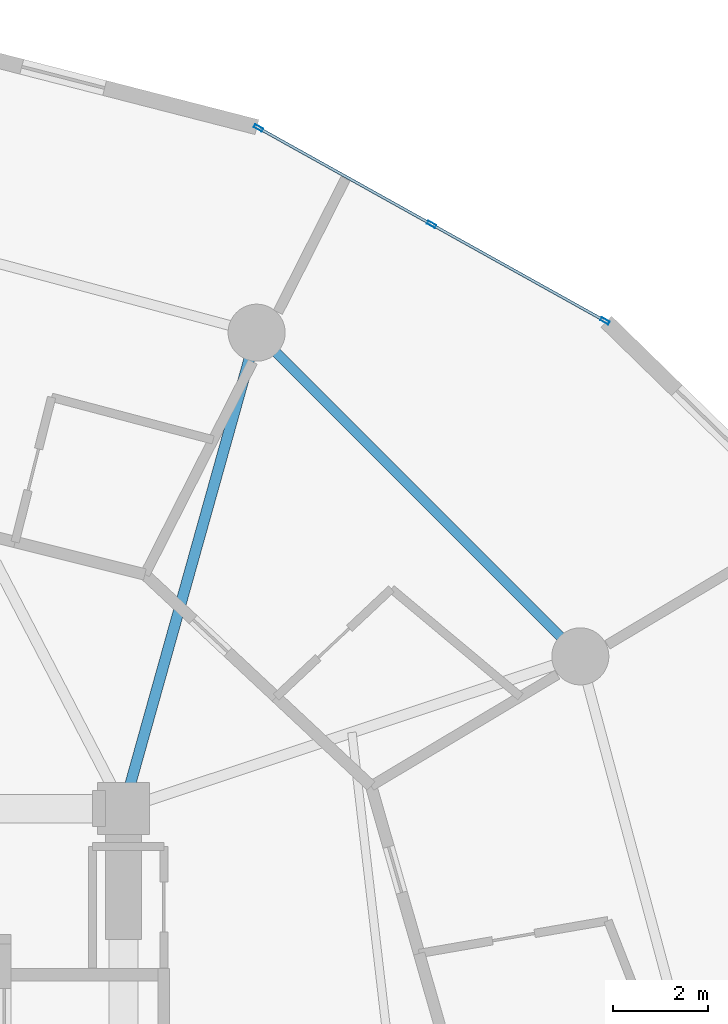
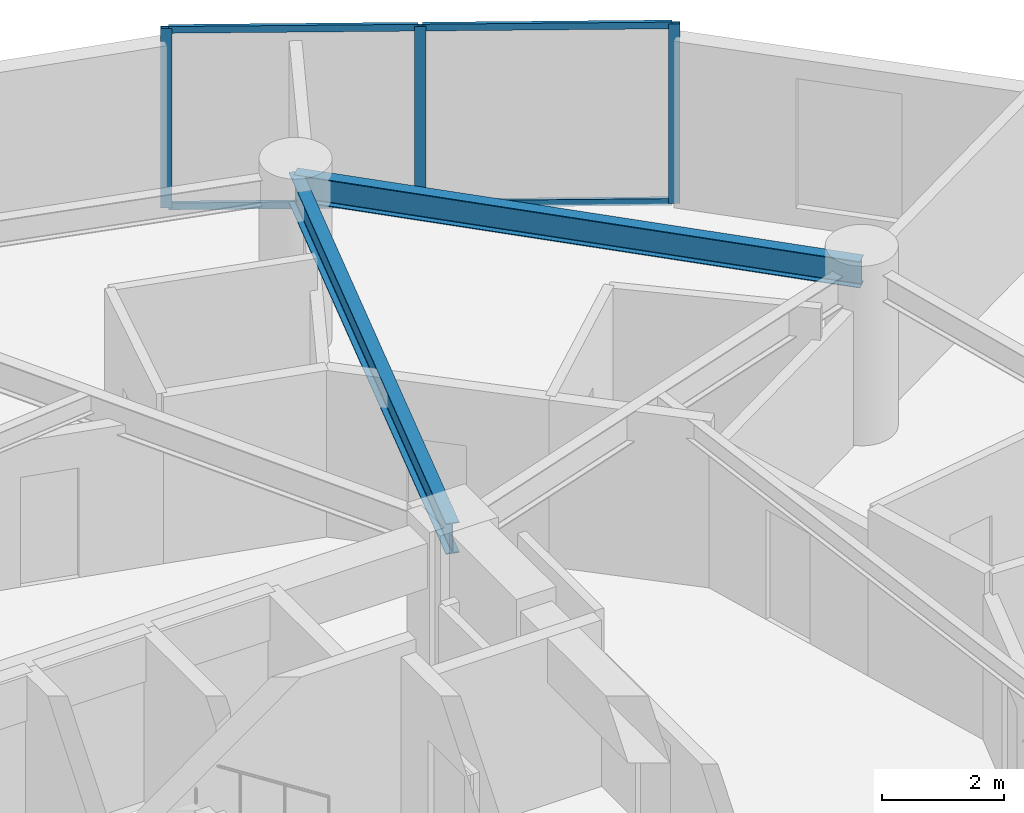
# One storey, part 14 of 22: 7 members, 2 beams, 1 element without a shape of its own.
"""IFC4 building model written with IfcOpenShell, lengths in metres."""

from ifc_helpers import new_model, si_unit, direction, frame, origin, origin_2d, place, context, subcontext, project, spatial, hollow_rectangle, i_section, extrude, source, transform, mapped, material, layer, layer_set, material_profile, profile_set, type_object, element, aggregate, save


model = new_model("IFC4")

# Units and contexts
model_context = context("Model", 3, precision=1e-05, world=origin(), true_north=direction((0.0, 1.0)))
body_context = subcontext(model_context, "Body", "Model", "MODEL_VIEW")
ifc_project = project(units=[si_unit("LENGTHUNIT", "METRE"), si_unit("AREAUNIT", "SQUARE_METRE"), si_unit("VOLUMEUNIT", "CUBIC_METRE"), si_unit("PLANEANGLEUNIT", "RADIAN"), si_unit("MASSUNIT", "GRAM", prefix="KILO")], contexts=[model_context])

# Site, building, storey
site_placement = place(None, origin())
site = spatial("IfcSite", under=ifc_project, at=site_placement, CompositionType="ELEMENT")
building_placement = place(site_placement, origin())
building = spatial("IfcBuilding", under=site, at=building_placement, Name="Solvirekh Grand Hotel", CompositionType="ELEMENT")
storey_placement = place(building_placement, frame((0.0, 0.0, 78.800048828125)))
storey = spatial("IfcBuildingStorey", under=building, at=storey_placement, Name="L19", CompositionType="ELEMENT", Elevation=78.800048828125)

# Beams
ifc_material_1 = material(Name="Steel S355", Category="steel")
ifc_material_profile_1 = material_profile(ifc_material_1, i_section(OverallWidth=0.22802734375, OverallDepth=0.616943359375, WebThickness=0.012939453125, FlangeThickness=0.02001953125, FilletRadius=0.014892578125, at=origin_2d()), Name="W610X140")
ifc_profile_set_1 = profile_set([ifc_material_profile_1], Name="Steel S355")
beam_type_1 = type_object("IfcBeamType", Name="Beam_Radial_W610", PredefinedType="BEAM", material=ifc_profile_set_1)
beam_1_placement = place(storey_placement, frame((6.5, 6.10009765625, 3.031982421875), z_axis=(0.269439084681, 0.963017434757, 0.0), x_axis=(-0.963017434757, 0.269439084681, 0.0)))
element("IfcBeam", 1, at=beam_1_placement, inside=storey, type_object=beam_type_1, Name="L19 radial floor beam R03", PredefinedType="BEAM", context=body_context, shape_type="SweptSolid", body=[
    extrude(i_section(OverallWidth=0.22802734375, OverallDepth=0.616943359375, WebThickness=0.012939453125, FlangeThickness=0.02001953125, FilletRadius=0.014892578125, at=origin_2d()), origin(), (0.0, 0.0, 1.0), 10.39208984375),
])
ifc_material_profile_2 = material_profile(ifc_material_1, i_section(OverallWidth=0.208984375, OverallDepth=0.532958984375, WebThickness=0.010009765625, FlangeThickness=0.014892578125, FilletRadius=0.013916015625, at=origin_2d()), Name="W530X92")
ifc_profile_set_2 = profile_set([ifc_material_profile_2], Name="Steel S355")
beam_type_2 = type_object("IfcBeamType", Name="Spandrel_Ring_W530", PredefinedType="SPANDREL", material=ifc_profile_set_2)
beam_2_placement = place(storey_placement, frame((16.10791015625, 9.300048828125, 3.073974609375), z_axis=(-0.707106781187, 0.707106781187, 0.0), x_axis=(-0.707106781187, -0.707106781187, 0.0)))
element("IfcBeam", 2, at=beam_2_placement, inside=storey, type_object=beam_type_2, Name="L19 perimeter spandrel beam 2", PredefinedType="SPANDREL", context=body_context, shape_type="SweptSolid", body=[
    extrude(i_section(OverallWidth=0.208984375, OverallDepth=0.532958984375, WebThickness=0.010009765625, FlangeThickness=0.014892578125, FilletRadius=0.013916015625, at=origin_2d()), origin(), (0.0, 0.0, 1.0), 9.627685546875),
])

# Curtain wall, members
ifc_material_2 = material(Name="Anodized Bronze Aluminium 6063-T6", Category="aluminium")
ifc_layer = layer(ifc_material_2, 0.18994140625)
ifc_layer_set = layer_set([ifc_layer], Name="Anodized Bronze Aluminium 6063-T6")
curtain_wall_type = type_object("IfcCurtainWallType", Name="CW_Sys2_LowZoneFlushBronzeCW", PredefinedType="NOTDEFINED", material=ifc_layer_set)
curtain_wall_placement = place(storey_placement, origin())
curtain_wall = element("IfcCurtainWall", 3, at=curtain_wall_placement, inside=storey, type_object=curtain_wall_type, Name="L19 unitised bronze-glass curtain wall CW-L19-C05", PredefinedType="NOTDEFINED")
ifc_material_profile_3 = material_profile(ifc_material_2, hollow_rectangle(XDim=0.070068359375, YDim=0.18994140625, WallThickness=0.0048828125, at=origin_2d()), Name="ALU RHS 190X70X5")
ifc_profile_set_3 = profile_set([ifc_material_profile_3], Name="Anodized Bronze Aluminium 6063-T6")
member_type_1 = type_object("IfcMemberType", Name="CWMullion_Sys2", PredefinedType="MULLION", material=ifc_profile_set_3)
shared_shape_1 = source(origin(), body_context, "Body", "SweptSolid", [
    extrude(hollow_rectangle(XDim=0.070068359375, YDim=0.18994140625, WallThickness=0.0048828125, at=origin_2d()), origin(), (0.0, 0.0, 1.0), 3.599853515625),
])
member_1_placement = place(storey_placement, frame((16.62548828125, 16.35595703125, 0.0), z_axis=(0.0, 0.0, 1.0), x_axis=(-0.486520728626, -0.873669033798, 0.0)))
member_1 = element("IfcMember", 4, at=member_1_placement, type_object=member_type_1, Name="U02 mullion 1", PredefinedType="MULLION", context=body_context, shape_type="MappedRepresentation", body=[
    mapped(shared_shape_1, transform((0.0, 0.0, 0.0), x_axis=(1.0, 0.0, 0.0), y_axis=(0.0, 1.0, 0.0), z_axis=(0.0, 0.0, 1.0), scale=1.0)),
])
member_2_placement = place(storey_placement, frame((12.98095703125, 18.385498046875, 0.0), z_axis=(0.0, 0.0, 1.0), x_axis=(-0.486520728626, -0.873669033798, 0.0)))
member_2 = element("IfcMember", 5, at=member_2_placement, type_object=member_type_1, Name="U02 mullion 2", PredefinedType="MULLION", context=body_context, shape_type="MappedRepresentation", body=[
    mapped(shared_shape_1, transform((0.0, 0.0, 0.0), x_axis=(1.0, 0.0, 0.0), y_axis=(0.0, 1.0, 0.0), z_axis=(0.0, 0.0, 1.0), scale=1.0)),
])
member_3_placement = place(storey_placement, frame((9.336669921875, 20.4150390625, 0.0), z_axis=(0.0, 0.0, 1.0), x_axis=(-0.486520728626, -0.873669033798, 0.0)))
member_3 = element("IfcMember", 6, at=member_3_placement, type_object=member_type_1, Name="U02 mullion 3", PredefinedType="MULLION", context=body_context, shape_type="MappedRepresentation", body=[
    mapped(shared_shape_1, transform((0.0, 0.0, 0.0), x_axis=(1.0, 0.0, 0.0), y_axis=(0.0, 1.0, 0.0), z_axis=(0.0, 0.0, 1.0), scale=1.0)),
])
ifc_material_profile_4 = material_profile(ifc_material_2, hollow_rectangle(XDim=0.06005859375, YDim=0.135009765625, WallThickness=0.00390625, at=origin_2d()), Name="ALU RHS 135X60X4")
ifc_profile_set_4 = profile_set([ifc_material_profile_4], Name="Anodized Bronze Aluminium 6063-T6")
member_type_2 = type_object("IfcMemberType", Name="CWTransom_Sys2", PredefinedType="USERDEFINED", material=ifc_profile_set_4)
shared_shape_2 = source(origin(), body_context, "Body", "SweptSolid", [
    extrude(hollow_rectangle(XDim=0.06005859375, YDim=0.135009765625, WallThickness=0.00390625, at=origin_2d()), origin(), (0.0, 0.0, 1.0), 4.101318359375),
])
member_4_placement = place(storey_placement, frame((16.5947265625, 16.373046875, 0.030029296875), z_axis=(-0.873673891115, 0.486512006002, 0.0), x_axis=(-0.486512006002, -0.873673891115, 0.0)))
member_4 = element("IfcMember", 7, at=member_4_placement, type_object=member_type_2, Name="U02 transom 1.1", ObjectType="TRANSOM", PredefinedType="USERDEFINED", context=body_context, shape_type="MappedRepresentation", body=[
    mapped(shared_shape_2, transform((0.0, 0.0, 0.0), x_axis=(1.0, 0.0, 0.0), y_axis=(0.0, 1.0, 0.0), z_axis=(0.0, 0.0, 1.0), scale=1.0)),
])
member_5_placement = place(storey_placement, frame((16.5947265625, 16.373046875, 3.570068359375), z_axis=(-0.873673891115, 0.486512006002, 0.0), x_axis=(-0.486512006002, -0.873673891115, 0.0)))
member_5 = element("IfcMember", 8, at=member_5_placement, type_object=member_type_2, Name="U02 transom 1.2", ObjectType="TRANSOM", PredefinedType="USERDEFINED", context=body_context, shape_type="MappedRepresentation", body=[
    mapped(shared_shape_2, transform((0.0, 0.0, 0.0), x_axis=(1.0, 0.0, 0.0), y_axis=(0.0, 1.0, 0.0), z_axis=(0.0, 0.0, 1.0), scale=1.0)),
])
member_6_placement = place(storey_placement, frame((12.950439453125, 18.402587890625, 0.030029296875), z_axis=(-0.873673891115, 0.486512006002, 0.0), x_axis=(-0.486512006002, -0.873673891115, 0.0)))
member_6 = element("IfcMember", 9, at=member_6_placement, type_object=member_type_2, Name="U02 transom 2.1", ObjectType="TRANSOM", PredefinedType="USERDEFINED", context=body_context, shape_type="MappedRepresentation", body=[
    mapped(shared_shape_2, transform((0.0, 0.0, 0.0), x_axis=(1.0, 0.0, 0.0), y_axis=(0.0, 1.0, 0.0), z_axis=(0.0, 0.0, 1.0), scale=1.0)),
])
member_7_placement = place(storey_placement, frame((12.950439453125, 18.402587890625, 3.570068359375), z_axis=(-0.873673891115, 0.486512006002, 0.0), x_axis=(-0.486512006002, -0.873673891115, 0.0)))
member_7 = element("IfcMember", 10, at=member_7_placement, type_object=member_type_2, Name="U02 transom 2.2", ObjectType="TRANSOM", PredefinedType="USERDEFINED", context=body_context, shape_type="MappedRepresentation", body=[
    mapped(shared_shape_2, transform((0.0, 0.0, 0.0), x_axis=(1.0, 0.0, 0.0), y_axis=(0.0, 1.0, 0.0), z_axis=(0.0, 0.0, 1.0), scale=1.0)),
])
aggregate(curtain_wall, [member_1, member_2, member_3, member_4, member_5, member_6, member_7])

save(model, "model.ifc")
